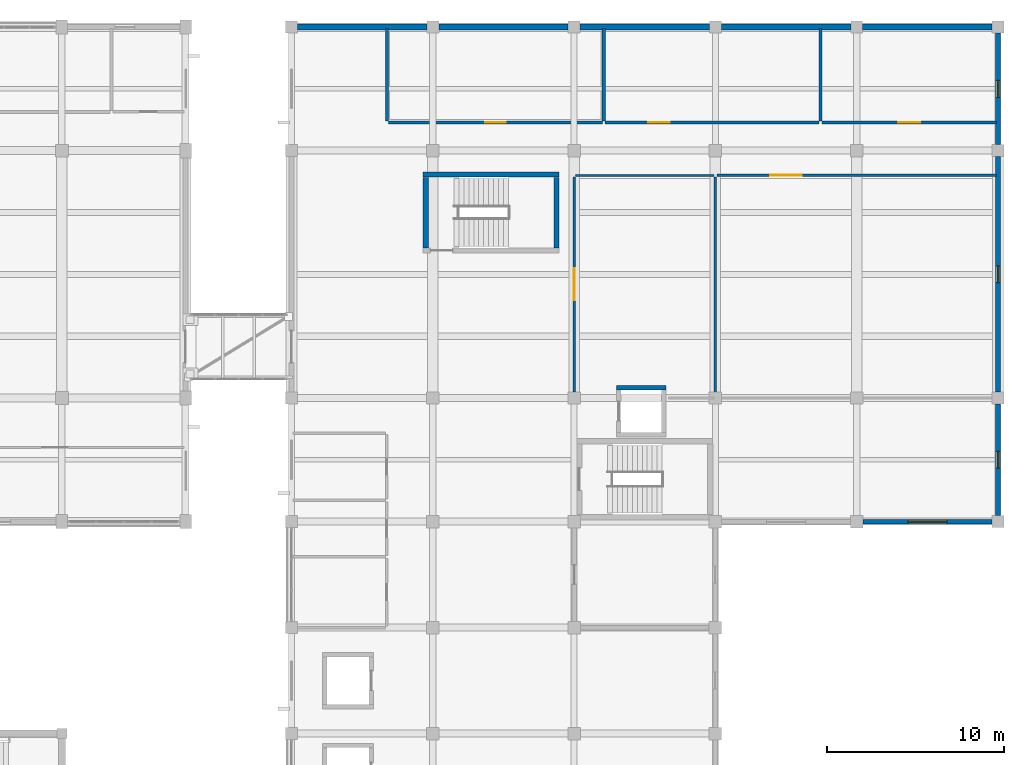
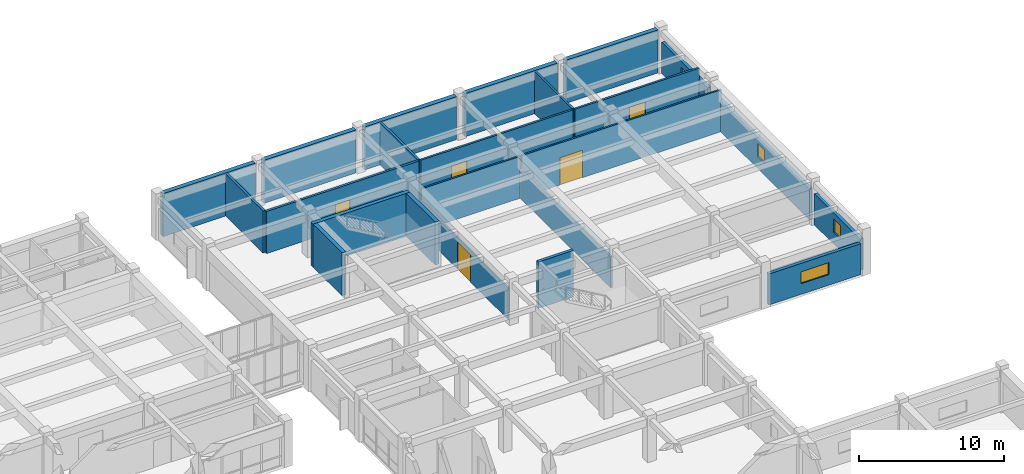
# One storey, part 54 of 66: 23 walls, 5 doors, 4 windows, 9 openings.
"""IFC4 building model written with IfcOpenShell, lengths in metres."""

from ifc_helpers import new_model, si_unit, direction, frame, frame_2d, origin, place, context, subcontext, project, spatial, rectangle, extrude, material, layer, layer_set, type_object, element, fill, save


model = new_model("IFC4")

# Units and contexts
model_context = context("Model", 3, precision=1e-05, world=origin(), true_north=direction((0.0, 1.0)))
body_context = subcontext(model_context, "Body", "Model", "MODEL_VIEW")
ifc_project = project(units=[si_unit("LENGTHUNIT", "METRE"), si_unit("AREAUNIT", "SQUARE_METRE"), si_unit("VOLUMEUNIT", "CUBIC_METRE"), si_unit("PLANEANGLEUNIT", "RADIAN"), si_unit("MASSUNIT", "GRAM", prefix="KILO")], contexts=[model_context])

# Site, building, storey
site_placement = place(None, origin())
site = spatial("IfcSite", under=ifc_project, at=site_placement, CompositionType="ELEMENT")
building_placement = place(site_placement, origin())
building = spatial("IfcBuilding", under=site, at=building_placement, Name="Naurynzar Civic Courthouse", CompositionType="ELEMENT")
storey_placement = place(building_placement, frame((0.0, 0.0, 14.39990234375)))
storey = spatial("IfcBuildingStorey", under=building, at=storey_placement, Name="L04", CompositionType="ELEMENT", Elevation=14.39990234375)

# Wall
ifc_material_1 = material(Name="Acoustic Double-Stud Gypsum Partition")
ifc_layer_1 = layer(ifc_material_1, 0.1298828125)
ifc_layer_set_1 = layer_set([ifc_layer_1], Name="WL-ACOUSTIC-130")
wall_type_1 = type_object("IfcWallType", Name="WL-ACOUSTIC-130", PredefinedType="PARTITIONING", material=ifc_layer_set_1)
wall_1_placement = place(storey_placement, frame((146.080078125, 63.60009765625, 0.0), z_axis=(0.0, 0.0, 1.0), x_axis=(1.0, 0.0, 0.0)))
element("IfcWall", 1, at=wall_1_placement, inside=storey, type_object=wall_type_1, Name="V5 interior partition L04.491", PredefinedType="PARTITIONING", context=body_context, shape_type="SweptSolid", body=[
    extrude(rectangle(XDim=7.83984375, YDim=0.1298828125, at=frame_2d((3.919921875, 0.0))), origin(), (0.0, 0.0, 1.0), 3.5400390625),
])

# Wall, opening, door
wall_2_placement = place(storey_placement, frame((146.0, 51.35009765625, 0.0), z_axis=(0.0, 0.0, 1.0), x_axis=(0.0, 1.0, 0.0)))
wall_2 = element("IfcWall", 2, at=wall_2_placement, inside=storey, type_object=wall_type_1, Name="V5 interior partition L04.560", PredefinedType="PARTITIONING", context=body_context, shape_type="SweptSolid", body=[
    extrude(rectangle(XDim=12.169921875, YDim=0.1298828125, at=frame_2d((6.0849609375, 0.0))), origin(), (0.0, 0.0, 1.0), 2.630126953125),
])
opening_1_placement = place(wall_2_placement, frame((5.18505859375, 0.0, 0.0)))
opening_1 = element("IfcOpeningElement", 3, at=opening_1_placement, cuts=wall_2, Name="Opening D-330", PredefinedType="OPENING", context=body_context, shape_type="SweptSolid", body=[
    extrude(rectangle(XDim=1.800048828125, YDim=2.300048828125, at=frame_2d((0.89990234375, 1.14990234375))), frame((0.0, 0.074951171875, 0.0), z_axis=(0.0, -1.0, 0.0), x_axis=(1.0, 0.0, 0.0)), (0.0, 0.0, 1.0), 0.14990234375),
])
ifc_material_2 = material(Name="Acoustic Oak Timber Grade A", Category="wood")
door_type_1 = type_object("IfcDoorType", Name="DR-COURT-DBL-1800x2300", OperationType="DOUBLE_DOOR_SINGLE_SWING", PredefinedType="DOOR", material=ifc_material_2)
door_1_placement = place(opening_1_placement, origin())
door_1 = element("IfcDoor", 4, at=door_1_placement, inside=storey, type_object=door_type_1, Name="Interior door D-330 (Criminal Trial Courtroom L04-N1)", OperationType="DOUBLE_DOOR_SINGLE_SWING", OverallHeight=2.300048828125, OverallWidth=1.800048828125, PredefinedType="DOOR", context=body_context, shape_type="SweptSolid", body=[
    extrude(rectangle(XDim=1.800048828125, YDim=2.300048828125, at=frame_2d((0.89990234375, 1.14990234375))), frame((0.0, 0.02490234375, 0.0), z_axis=(0.0, -1.0, 0.0), x_axis=(1.0, 0.0, 0.0)), (0.0, 0.0, 1.0), 0.050048828125),
])
fill(opening_1, door_1)

ifc_material_3 = material(Name="Acoustic Double-Stud Gypsum Partition")
ifc_layer_2 = layer(ifc_material_3, 0.135009765625)
ifc_layer_set_2 = layer_set([ifc_layer_2], Name="WL-ACOUSTIC-135")
wall_type_2 = type_object("IfcWallType", Name="WL-ACOUSTIC-135", PredefinedType="PARTITIONING", material=ifc_layer_set_2)
wall_3_placement = place(storey_placement, frame((154.080078125, 63.60009765625, 0.0), z_axis=(0.0, 0.0, 1.0), x_axis=(1.0, 0.0, 0.0)))
wall_3 = element("IfcWall", 5, at=wall_3_placement, inside=storey, type_object=wall_type_2, Name="V5 interior partition L04.492", PredefinedType="PARTITIONING", context=body_context, shape_type="SweptSolid", body=[
    extrude(rectangle(XDim=15.83984375, YDim=0.135009765625, at=frame_2d((7.919921875, 0.0))), origin(), (0.0, 0.0, 1.0), 3.5400390625),
])
opening_2_placement = place(wall_3_placement, frame((3.02001953125, 0.0, 0.0)))
opening_2 = element("IfcOpeningElement", 6, at=opening_2_placement, cuts=wall_3, Name="Opening D-331", PredefinedType="OPENING", context=body_context, shape_type="SweptSolid", body=[
    extrude(rectangle(XDim=1.800048828125, YDim=2.300048828125, at=frame_2d((0.89990234375, 1.14990234375))), frame((0.0, 0.077392578125, 0.0), z_axis=(0.0, -1.0, 0.0), x_axis=(1.0, 0.0, 0.0)), (0.0, 0.0, 1.0), 0.155029296875),
])
door_2_placement = place(opening_2_placement, origin())
door_2 = element("IfcDoor", 7, at=door_2_placement, inside=storey, type_object=door_type_1, Name="Interior door D-331 (Criminal Trial Courtroom L04-N2)", OperationType="DOUBLE_DOOR_SINGLE_SWING", OverallHeight=2.300048828125, OverallWidth=1.800048828125, PredefinedType="DOOR", context=body_context, shape_type="SweptSolid", body=[
    extrude(rectangle(XDim=1.800048828125, YDim=2.300048828125, at=frame_2d((0.89990234375, 1.14990234375))), frame((0.0, 0.02490234375, 0.0), z_axis=(0.0, -1.0, 0.0), x_axis=(1.0, 0.0, 0.0)), (0.0, 0.0, 1.0), 0.050048828125),
])
fill(opening_2, door_2)

# Walls
wall_4_placement = place(storey_placement, frame((154.0, 51.080078125, 0.0), z_axis=(0.0, 0.0, 1.0), x_axis=(0.0, 1.0, 0.0)))
element("IfcWall", 8, at=wall_4_placement, inside=storey, type_object=wall_type_2, Name="V5 interior partition L04.564", PredefinedType="PARTITIONING", context=body_context, shape_type="SweptSolid", body=[
    extrude(rectangle(XDim=12.43994140625, YDim=0.135009765625, at=frame_2d((6.219970703125, 0.0))), origin(), (0.0, 0.0, 1.0), 2.630126953125),
])
ifc_material_4 = material(Name="Concrete C40/50", Category="concrete")
ifc_layer_3 = layer(ifc_material_4, 0.300048828125)
ifc_layer_set_3 = layer_set([ifc_layer_3], Name="WL-CORE-300")
wall_type_3 = type_object("IfcWallType", Name="WL-CORE-300", PredefinedType="SHEAR", material=ifc_layer_set_3)
wall_5_placement = place(storey_placement, frame((145.14990234375, 63.64990234375, 0.0), z_axis=(0.0, 0.0, 1.0), x_axis=(-1.0, 0.0, 0.0)))
element("IfcWall", 9, at=wall_5_placement, inside=storey, type_object=wall_type_3, Name="Stair ST-V5B enclosure wall north L04", PredefinedType="SHEAR", context=body_context, shape_type="SweptSolid", body=[
    extrude(rectangle(XDim=7.699951171875, YDim=0.300048828125, at=frame_2d((3.85009765625, 0.0))), origin(), (0.0, 0.0, 1.0), 3.6201171875),
])
for number, where, z_axis, x_axis, name in (
    (10, (137.60009765625, 63.4951171875, 0.0), (0.0, 0.0, 1.0), (0.0, -1.0, 0.0), "Stair ST-V5B enclosure wall west L04"),
    (11, (145.0, 59.5048828125, 0.0), (0.0, 0.0, 1.0), (0.0, 1.0, 0.0), "Stair ST-V5B enclosure wall east L04"),
):
    element("IfcWall", number, at=place(storey_placement, frame(where, z_axis=z_axis, x_axis=x_axis)), inside=storey, type_object=wall_type_3, Name=name, PredefinedType="SHEAR", context=body_context, shape_type="SweptSolid", body=[
        extrude(rectangle(XDim=3.990234375, YDim=0.300048828125, at=frame_2d((1.9951171875, 0.0))), origin(), (0.0, 0.0, 1.0), 3.6201171875),
    ])

# Wall, opening, window
ifc_material_5 = material(Name="Precast concrete C40/50", Category="concrete")
ifc_layer_4 = layer(ifc_material_5, 0.260009765625)
ifc_layer_set_4 = layer_set([ifc_layer_4], Name="WL-EXT-260")
wall_type_4 = type_object("IfcWallType", Name="WL-EXT-260", PredefinedType="SOLIDWALL", material=ifc_layer_set_4)
wall_6_placement = place(storey_placement, frame((170.0, 71.66259765625, 0.0), z_axis=(0.0, 0.0, 1.0), x_axis=(0.0, -1.0, 0.0)))
wall_6 = element("IfcWall", 12, at=wall_6_placement, inside=storey, type_object=wall_type_4, Name="V5 exterior wall east_north L04.1.1", PredefinedType="SOLIDWALL", context=body_context, shape_type="SweptSolid", body=[
    extrude(rectangle(XDim=6.3251953125, YDim=0.260009765625, at=frame_2d((3.16259765625, 0.0))), origin(), (0.0, 0.0, 1.0), 2.610107421875),
])
opening_3_placement = place(wall_6_placement, frame((2.6875, 0.0, 1.0)))
opening_3 = element("IfcOpeningElement", 13, at=opening_3_placement, cuts=wall_6, Name="Opening WN-16", PredefinedType="OPENING", context=body_context, shape_type="SweptSolid", body=[
    extrude(rectangle(XDim=0.949951171875, YDim=1.10009765625, at=frame_2d((0.47509765625, 0.550048828125))), frame((0.0, 0.139892578125, 0.0), z_axis=(0.0, -1.0, 0.0), x_axis=(1.0, 0.0, 0.0)), (0.0, 0.0, 1.0), 0.280029296875),
])
ifc_material_6 = material(Name="Tempered Laminated Low-E Glass", Category="glass")
window_type_1 = type_object("IfcWindowType", Name="WIN-SEC-950x1100", PartitioningType="SINGLE_PANEL", PredefinedType="WINDOW", material=ifc_material_6)
window_1_placement = place(opening_3_placement, origin())
window_1 = element("IfcWindow", 14, at=window_1_placement, inside=storey, type_object=window_type_1, Name="V5 window 304 L04", OverallHeight=1.10009765625, OverallWidth=0.949951171875, PartitioningType="SINGLE_PANEL", PredefinedType="WINDOW", context=body_context, shape_type="SweptSolid", body=[
    extrude(rectangle(XDim=0.949951171875, YDim=1.10009765625, at=frame_2d((0.47509765625, 0.550048828125))), frame((0.0, 0.030029296875, 0.0), z_axis=(0.0, -1.0, 0.0), x_axis=(1.0, 0.0, 0.0)), (0.0, 0.0, 1.0), 0.06005859375),
])
fill(opening_3, window_1)

wall_7_placement = place(storey_placement, frame((170.0, 64.66259765625, 0.0), z_axis=(0.0, 0.0, 1.0), x_axis=(0.0, -1.0, 0.0)))
wall_7 = element("IfcWall", 15, at=wall_7_placement, inside=storey, type_object=wall_type_4, Name="V5 exterior wall east_north L04.2.1", PredefinedType="SOLIDWALL", context=body_context, shape_type="SweptSolid", body=[
    extrude(rectangle(XDim=13.3251953125, YDim=0.260009765625, at=frame_2d((6.66259765625, 0.0))), origin(), (0.0, 0.0, 1.0), 2.610107421875),
])
opening_4_placement = place(wall_7_placement, frame((6.1875, 0.0, 1.0)))
opening_4 = element("IfcOpeningElement", 16, at=opening_4_placement, cuts=wall_7, Name="Opening WN-16", PredefinedType="OPENING", context=body_context, shape_type="SweptSolid", body=[
    extrude(rectangle(XDim=0.949951171875, YDim=1.10009765625, at=frame_2d((0.47509765625, 0.550048828125))), frame((0.0, 0.139892578125, 0.0), z_axis=(0.0, -1.0, 0.0), x_axis=(1.0, 0.0, 0.0)), (0.0, 0.0, 1.0), 0.280029296875),
])
window_2_placement = place(opening_4_placement, origin())
window_2 = element("IfcWindow", 17, at=window_2_placement, inside=storey, type_object=window_type_1, Name="V5 window 305 L04", OverallHeight=1.10009765625, OverallWidth=0.949951171875, PartitioningType="SINGLE_PANEL", PredefinedType="WINDOW", context=body_context, shape_type="SweptSolid", body=[
    extrude(rectangle(XDim=0.949951171875, YDim=1.10009765625, at=frame_2d((0.47509765625, 0.550048828125))), frame((0.0, 0.030029296875, 0.0), z_axis=(0.0, -1.0, 0.0), x_axis=(1.0, 0.0, 0.0)), (0.0, 0.0, 1.0), 0.06005859375),
])
fill(opening_4, window_2)

wall_8_placement = place(storey_placement, frame((170.0, 50.66259765625, 0.0), z_axis=(0.0, 0.0, 1.0), x_axis=(0.0, -1.0, 0.0)))
wall_8 = element("IfcWall", 18, at=wall_8_placement, inside=storey, type_object=wall_type_4, Name="V5 exterior wall east_north L04.3.1", PredefinedType="SOLIDWALL", context=body_context, shape_type="SweptSolid", body=[
    extrude(rectangle(XDim=6.3251953125, YDim=0.260009765625, at=frame_2d((3.16259765625, 0.0))), origin(), (0.0, 0.0, 1.0), 2.610107421875),
])
opening_5_placement = place(wall_8_placement, frame((2.6875, 0.0, 1.0)))
opening_5 = element("IfcOpeningElement", 19, at=opening_5_placement, cuts=wall_8, Name="Opening WN-16", PredefinedType="OPENING", context=body_context, shape_type="SweptSolid", body=[
    extrude(rectangle(XDim=0.949951171875, YDim=1.10009765625, at=frame_2d((0.47509765625, 0.550048828125))), frame((0.0, 0.139892578125, 0.0), z_axis=(0.0, -1.0, 0.0), x_axis=(1.0, 0.0, 0.0)), (0.0, 0.0, 1.0), 0.280029296875),
])
window_3_placement = place(opening_5_placement, origin())
window_3 = element("IfcWindow", 20, at=window_3_placement, inside=storey, type_object=window_type_1, Name="V5 window 306 L04", OverallHeight=1.10009765625, OverallWidth=0.949951171875, PartitioningType="SINGLE_PANEL", PredefinedType="WINDOW", context=body_context, shape_type="SweptSolid", body=[
    extrude(rectangle(XDim=0.949951171875, YDim=1.10009765625, at=frame_2d((0.47509765625, 0.550048828125))), frame((0.0, 0.030029296875, 0.0), z_axis=(0.0, -1.0, 0.0), x_axis=(1.0, 0.0, 0.0)), (0.0, 0.0, 1.0), 0.06005859375),
])
fill(opening_5, window_3)

wall_9_placement = place(storey_placement, frame((169.66259765625, 44.0, 0.0), z_axis=(0.0, 0.0, 1.0), x_axis=(-1.0, 0.0, 0.0)))
wall_9 = element("IfcWall", 21, at=wall_9_placement, inside=storey, type_object=wall_type_4, Name="V5 exterior wall notch_n L04.1.1", PredefinedType="SOLIDWALL", context=body_context, shape_type="SweptSolid", body=[
    extrude(rectangle(XDim=7.3125, YDim=0.260009765625, at=frame_2d((3.65625, 0.0))), origin(), (0.0, 0.0, 1.0), 2.610107421875),
])
opening_6_placement = place(wall_9_placement, frame((2.55615234375, 0.0, 0.89990234375)))
opening_6 = element("IfcOpeningElement", 22, at=opening_6_placement, cuts=wall_9, Name="Opening WN-18", PredefinedType="OPENING", context=body_context, shape_type="SweptSolid", body=[
    extrude(rectangle(XDim=2.199951171875, YDim=1.0, at=frame_2d((1.10009765625, 0.5))), frame((0.0, 0.139892578125, 0.0), z_axis=(0.0, -1.0, 0.0), x_axis=(1.0, 0.0, 0.0)), (0.0, 0.0, 1.0), 0.280029296875),
])
ifc_material_7 = material(Name="Tempered Laminated Low-E Glass", Category="glass")
window_type_2 = type_object("IfcWindowType", Name="WIN-CLER-2200x1000", PartitioningType="DOUBLE_PANEL_VERTICAL", PredefinedType="WINDOW", material=ifc_material_7)
window_4_placement = place(opening_6_placement, origin())
window_4 = element("IfcWindow", 23, at=window_4_placement, inside=storey, type_object=window_type_2, Name="V5 window 307 L04", OverallHeight=1.0, OverallWidth=2.199951171875, PartitioningType="SINGLE_PANEL", PredefinedType="WINDOW", context=body_context, shape_type="SweptSolid", body=[
    extrude(rectangle(XDim=2.199951171875, YDim=1.0, at=frame_2d((1.10009765625, 0.5))), frame((0.0, 0.030029296875, 0.0), z_axis=(0.0, -1.0, 0.0), x_axis=(1.0, 0.0, 0.0)), (0.0, 0.0, 1.0), 0.06005859375),
])
fill(opening_6, window_4)

# Wall, opening, door
ifc_material_8 = material(Name="Insulated Metal-Stud Gypsum Partition")
ifc_layer_5 = layer(ifc_material_8, 0.159912109375)
ifc_layer_set_5 = layer_set([ifc_layer_5], Name="WL-PART-CHAMB-160")
wall_type_5 = type_object("IfcWallType", Name="WL-PART-CHAMB-160", PredefinedType="PARTITIONING", material=ifc_layer_set_5)
wall_10_placement = place(storey_placement, frame((147.760009765625, 66.60009765625, 0.0), z_axis=(0.0, 0.0, 1.0), x_axis=(1.0, 0.0, 0.0)))
wall_10 = element("IfcWall", 24, at=wall_10_placement, inside=storey, type_object=wall_type_5, Name="V5 interior partition L04.501", PredefinedType="PARTITIONING", context=body_context, shape_type="SweptSolid", body=[
    extrude(rectangle(XDim=12.110107421875, YDim=0.159912109375, at=frame_2d((6.05517578125, 0.0))), origin(), (0.0, 0.0, 1.0), 3.5400390625),
])
opening_7_placement = place(wall_10_placement, frame((2.43505859375, 0.0, 0.0)))
opening_7 = element("IfcOpeningElement", 25, at=opening_7_placement, cuts=wall_10, Name="Opening D-333", PredefinedType="OPENING", context=body_context, shape_type="SweptSolid", body=[
    extrude(rectangle(XDim=1.219970703125, YDim=2.199951171875, at=frame_2d((0.60986328125, 1.10009765625))), frame((0.0, 0.08984375, 0.0), z_axis=(0.0, -1.0, 0.0), x_axis=(1.0, 0.0, 0.0)), (0.0, 0.0, 1.0), 0.179931640625),
])
ifc_material_9 = material(Name="Acoustic Oak Timber Grade A", Category="wood")
door_type_2 = type_object("IfcDoorType", Name="DR-SUITE-1220x2200", OperationType="NOTDEFINED", PredefinedType="DOOR", material=ifc_material_9)
door_3_placement = place(opening_7_placement, origin())
door_3 = element("IfcDoor", 26, at=door_3_placement, inside=storey, type_object=door_type_2, Name="Interior door D-333 (Judges' Chambers L04-V5-2)", OperationType="SINGLE_SWING_LEFT", OverallHeight=2.199951171875, OverallWidth=1.219970703125, PredefinedType="DOOR", context=body_context, shape_type="SweptSolid", body=[
    extrude(rectangle(XDim=1.219970703125, YDim=2.199951171875, at=frame_2d((0.60986328125, 1.10009765625))), frame((0.0, 0.02490234375, 0.0), z_axis=(0.0, -1.0, 0.0), x_axis=(1.0, 0.0, 0.0)), (0.0, 0.0, 1.0), 0.050048828125),
])
fill(opening_7, door_3)

wall_11_placement = place(storey_placement, frame((160.030029296875, 66.60009765625, 0.0), z_axis=(0.0, 0.0, 1.0), x_axis=(1.0, 0.0, 0.0)))
wall_11 = element("IfcWall", 27, at=wall_11_placement, inside=storey, type_object=wall_type_5, Name="V5 interior partition L04.502", PredefinedType="PARTITIONING", context=body_context, shape_type="SweptSolid", body=[
    extrude(rectangle(XDim=9.889892578125, YDim=0.159912109375, at=frame_2d((4.94482421875, 0.0))), origin(), (0.0, 0.0, 1.0), 3.5400390625),
])
opening_8_placement = place(wall_11_placement, frame((4.31494140625, 0.0, 0.0)))
opening_8 = element("IfcOpeningElement", 28, at=opening_8_placement, cuts=wall_11, Name="Opening D-334", PredefinedType="OPENING", context=body_context, shape_type="SweptSolid", body=[
    extrude(rectangle(XDim=1.260009765625, YDim=2.199951171875, at=frame_2d((0.6298828125, 1.10009765625))), frame((0.0, 0.08984375, 0.0), z_axis=(0.0, -1.0, 0.0), x_axis=(1.0, 0.0, 0.0)), (0.0, 0.0, 1.0), 0.179931640625),
])
ifc_material_10 = material(Name="Acoustic Oak Timber Grade A", Category="wood")
door_type_3 = type_object("IfcDoorType", Name="DR-SUITE-1260x2200", OperationType="NOTDEFINED", PredefinedType="DOOR", material=ifc_material_10)
door_4_placement = place(opening_8_placement, origin())
door_4 = element("IfcDoor", 29, at=door_4_placement, inside=storey, type_object=door_type_3, Name="Interior door D-334 (Judges' Chambers L04-V5-3)", OperationType="SINGLE_SWING_RIGHT", OverallHeight=2.199951171875, OverallWidth=1.260009765625, PredefinedType="DOOR", context=body_context, shape_type="SweptSolid", body=[
    extrude(rectangle(XDim=1.260009765625, YDim=2.199951171875, at=frame_2d((0.6298828125, 1.10009765625))), frame((0.0, 0.02490234375, 0.0), z_axis=(0.0, -1.0, 0.0), x_axis=(1.0, 0.0, 0.0)), (0.0, 0.0, 1.0), 0.050048828125),
])
fill(opening_8, door_4)

# Wall
wall_12_placement = place(storey_placement, frame((159.949951171875, 66.679931640625, 0.0), z_axis=(0.0, 0.0, 1.0), x_axis=(0.0, 1.0, 0.0)))
element("IfcWall", 30, at=wall_12_placement, inside=storey, type_object=wall_type_5, Name="V5 interior partition L04.565", PredefinedType="PARTITIONING", context=body_context, shape_type="SweptSolid", body=[
    extrude(rectangle(XDim=5.239990234375, YDim=0.159912109375, at=frame_2d((2.6201171875, 0.0))), origin(), (0.0, 0.0, 1.0), 3.5400390625),
])

# Wall, opening, door
ifc_material_11 = material(Name="Acoustic Double-Stud Gypsum Partition")
ifc_layer_6 = layer(ifc_material_11, 0.179931640625)
ifc_layer_set_6 = layer_set([ifc_layer_6], Name="WL-PART-JURY-180")
wall_type_6 = type_object("IfcWallType", Name="WL-PART-JURY-180", PredefinedType="PARTITIONING", material=ifc_layer_set_6)
wall_13_placement = place(storey_placement, frame((135.47998046875, 66.60009765625, 0.0), z_axis=(0.0, 0.0, 1.0), x_axis=(1.0, 0.0, 0.0)))
wall_13 = element("IfcWall", 31, at=wall_13_placement, inside=storey, type_object=wall_type_6, Name="V5 interior partition L04.500", PredefinedType="PARTITIONING", context=body_context, shape_type="SweptSolid", body=[
    extrude(rectangle(XDim=12.1201171875, YDim=0.179931640625, at=frame_2d((6.06005859375, 0.0))), origin(), (0.0, 0.0, 1.0), 3.5400390625),
])
opening_9_placement = place(wall_13_placement, frame((5.485107421875, 0.0, 0.0)))
opening_9 = element("IfcOpeningElement", 32, at=opening_9_placement, cuts=wall_13, Name="Opening D-332", PredefinedType="OPENING", context=body_context, shape_type="SweptSolid", body=[
    extrude(rectangle(XDim=1.14990234375, YDim=2.199951171875, at=frame_2d((0.574951171875, 1.10009765625))), frame((0.0, 0.099853515625, 0.0), z_axis=(0.0, -1.0, 0.0), x_axis=(1.0, 0.0, 0.0)), (0.0, 0.0, 1.0), 0.199951171875),
])
ifc_material_12 = material(Name="Acoustic Oak Timber Grade A", Category="wood")
door_type_4 = type_object("IfcDoorType", Name="DR-JURY-1150x2200", OperationType="NOTDEFINED", PredefinedType="DOOR", material=ifc_material_12)
door_5_placement = place(opening_9_placement, origin())
door_5 = element("IfcDoor", 33, at=door_5_placement, inside=storey, type_object=door_type_4, Name="Interior door D-332 (Jury Room L04-N)", OperationType="SINGLE_SWING_RIGHT", OverallHeight=2.199951171875, OverallWidth=1.14990234375, PredefinedType="DOOR", context=body_context, shape_type="SweptSolid", body=[
    extrude(rectangle(XDim=1.14990234375, YDim=2.199951171875, at=frame_2d((0.574951171875, 1.10009765625))), frame((0.0, 0.02490234375, 0.0), z_axis=(0.0, -1.0, 0.0), x_axis=(1.0, 0.0, 0.0)), (0.0, 0.0, 1.0), 0.050048828125),
])
fill(opening_9, door_5)

# Walls
for number, where, z_axis, x_axis, name in (
    (34, (135.39990234375, 66.679931640625, 0.0), (0.0, 0.0, 1.0), (0.0, 1.0, 0.0), "V5 interior partition L04.555"),
    (35, (147.679931640625, 66.679931640625, 0.0), (0.0, 0.0, 1.0), (0.0, 1.0, 0.0), "V5 interior partition L04.561"),
):
    element("IfcWall", number, at=place(storey_placement, frame(where, z_axis=z_axis, x_axis=x_axis)), inside=storey, type_object=wall_type_6, Name=name, PredefinedType="PARTITIONING", context=body_context, shape_type="SweptSolid", body=[
        extrude(rectangle(XDim=5.239990234375, YDim=0.179931640625, at=frame_2d((2.6201171875, 0.0))), origin(), (0.0, 0.0, 1.0), 3.5400390625),
    ])
ifc_material_13 = material(Name="Concrete C40/50", Category="concrete")
ifc_layer_7 = layer(ifc_material_13, 0.360107421875)
ifc_layer_set_7 = layer_set([ifc_layer_7], Name="WL-PARTY-360")
wall_type_7 = type_object("IfcWallType", Name="WL-PARTY-360", PredefinedType="SOLIDWALL", material=ifc_layer_set_7)
for number, where, z_axis, x_axis, name in (
    (36, (130.33740234375, 72.0, 0.0), (0.0, 0.0, 1.0), (1.0, 0.0, 0.0), "V5 solid seismic party wall L04 1"),
    (37, (138.33740234375, 72.0, 0.0), (0.0, 0.0, 1.0), (1.0, 0.0, 0.0), "V5 solid seismic party wall L04 2"),
    (38, (146.33740234375, 72.0, 0.0), (0.0, 0.0, 1.0), (1.0, 0.0, 0.0), "V5 solid seismic party wall L04 3"),
    (39, (154.33740234375, 72.0, 0.0), (0.0, 0.0, 1.0), (1.0, 0.0, 0.0), "V5 solid seismic party wall L04 4"),
    (40, (162.33740234375, 72.0, 0.0), (0.0, 0.0, 1.0), (1.0, 0.0, 0.0), "V5 solid seismic party wall L04 5"),
):
    element("IfcWall", number, at=place(storey_placement, frame(where, z_axis=z_axis, x_axis=x_axis)), inside=storey, type_object=wall_type_7, Name=name, PredefinedType="SOLIDWALL", context=body_context, shape_type="SweptSolid", body=[
        extrude(rectangle(XDim=7.3251953125, YDim=0.360107421875, at=frame_2d((3.66259765625, 0.0))), origin(), (0.0, 0.0, 1.0), 3.6201171875),
    ])
ifc_material_14 = material(Name="Concrete C40/50", Category="concrete")
ifc_layer_8 = layer(ifc_material_14, 0.25)
ifc_layer_set_8 = layer_set([ifc_layer_8], Name="WL-SHAFT-250")
wall_type_8 = type_object("IfcWallType", Name="WL-SHAFT-250", PredefinedType="SHEAR", material=ifc_layer_set_8)
wall_14_placement = place(storey_placement, frame((151.199951171875, 51.574951171875, 0.0), z_axis=(0.0, 0.0, 1.0), x_axis=(-1.0, 0.0, 0.0)))
element("IfcWall", 41, at=wall_14_placement, inside=storey, type_object=wall_type_8, Name="Lift LF-CUS shaft wall north L04", PredefinedType="SHEAR", context=body_context, shape_type="SweptSolid", body=[
    extrude(rectangle(XDim=2.800048828125, YDim=0.25, at=frame_2d((1.39990234375, 0.0))), origin(), (0.0, 0.0, 1.0), 3.900146484375),
])

save(model, "model.ifc")
